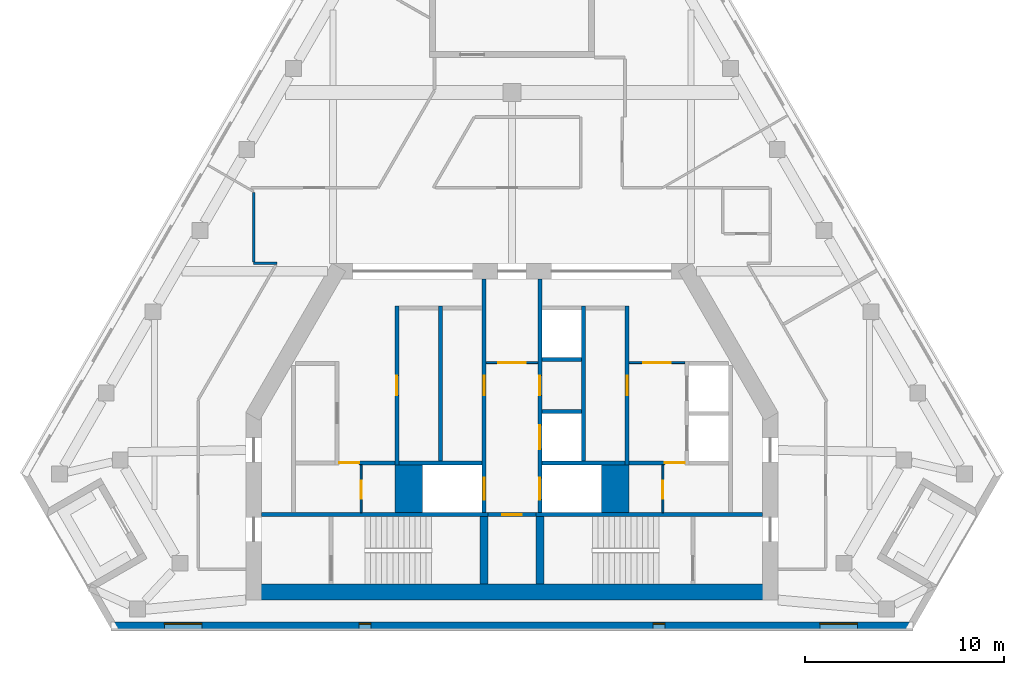
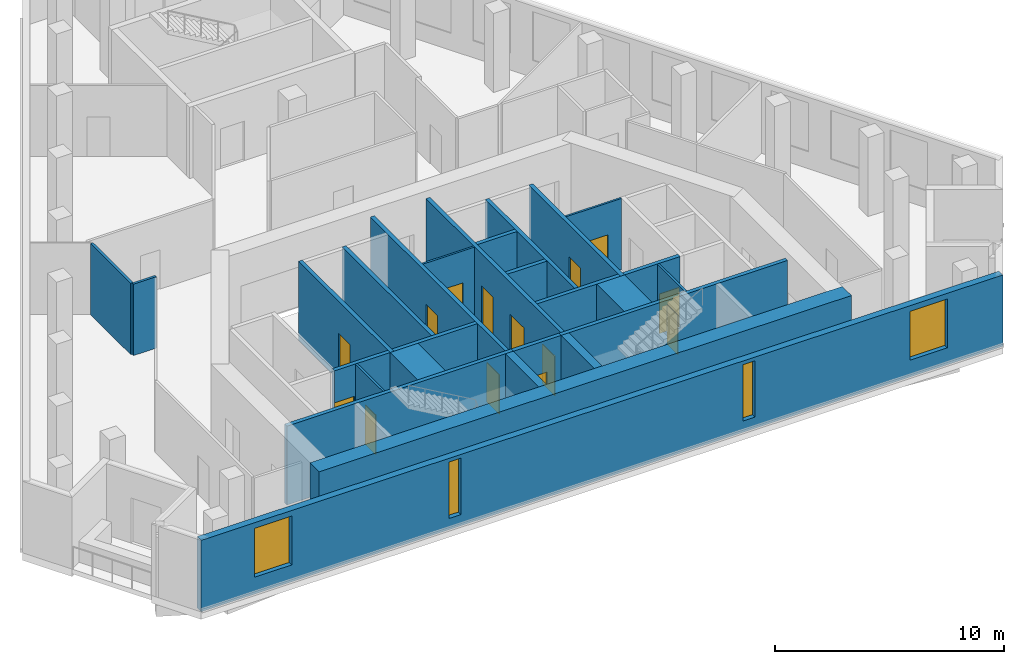
# One storey, part 3 of 8: 27 walls, 14 doors, 4 windows, 18 openings.
"""IFC4 building model written with IfcOpenShell, lengths in metres."""

from ifc_helpers import new_model, si_unit, direction, frame, frame_2d, origin, place, context, subcontext, project, spatial, rectangle, extrude, material, layer, layer_set, type_object, element, fill, save


model = new_model("IFC4")

# Units and contexts
model_context = context("Model", 3, precision=1e-05, world=origin(), true_north=direction((0.0, 1.0)))
body_context = subcontext(model_context, "Body", "Model", "MODEL_VIEW")
ifc_project = project(units=[si_unit("LENGTHUNIT", "METRE"), si_unit("AREAUNIT", "SQUARE_METRE"), si_unit("VOLUMEUNIT", "CUBIC_METRE"), si_unit("PLANEANGLEUNIT", "RADIAN"), si_unit("MASSUNIT", "GRAM", prefix="KILO")], contexts=[model_context])

# Site, building, storey
site_placement = place(None, origin())
site = spatial("IfcSite", under=ifc_project, at=site_placement, CompositionType="ELEMENT")
building_placement = place(site_placement, origin())
building = spatial("IfcBuilding", under=site, at=building_placement, Name="Fogline Exchange Tower", CompositionType="ELEMENT")
storey_placement = place(building_placement, frame((0.0, 0.0, 318.300048828125)))
storey = spatial("IfcBuildingStorey", under=building, at=storey_placement, Name="L72", CompositionType="ELEMENT", Elevation=318.300048828125)

# Wall, opening, door
ifc_material_1 = material(Name="Blockwork partition", Category="masonry")
ifc_layer_1 = layer(ifc_material_1, 0.10009765625)
ifc_layer_set_1 = layer_set([ifc_layer_1], Name="CW10")
wall_type_1 = type_object("IfcWallType", Name="CW10", PredefinedType="PARTITIONING", material=ifc_layer_set_1)
wall_1_placement = place(storey_placement, frame((-7.60009765625, 5.85009765625, 0.0), z_axis=(0.0, 0.0, 1.0), x_axis=(0.0, 1.0, 0.0)))
wall_1 = element("IfcWall", 1, at=wall_1_placement, inside=storey, type_object=wall_type_1, Name="WC partition", PredefinedType="PARTITIONING", context=body_context, shape_type="SweptSolid", body=[
    extrude(rectangle(XDim=2.39990234375, YDim=0.10009765625, at=frame_2d((1.199951171875, 0.0))), origin(), (0.0, 0.0, 1.0), 3.800048828125),
])
opening_1_placement = place(wall_1_placement, frame((0.699951171875, 0.0, 0.0)))
opening_1 = element("IfcOpeningElement", 2, at=opening_1_placement, cuts=wall_1, Name="Opening T22-C008", PredefinedType="OPENING", context=body_context, shape_type="SweptSolid", body=[
    extrude(rectangle(XDim=0.89990234375, YDim=2.10009765625, at=frame_2d((0.449951171875, 1.050048828125))), frame((0.0, 0.06005859375, 0.0), z_axis=(0.0, -1.0, 0.0), x_axis=(1.0, 0.0, 0.0)), (0.0, 0.0, 1.0), 0.1201171875),
])
ifc_material_2 = material(Name="Steel and timber fire door", Category="steel")
door_type_1 = type_object("IfcDoorType", Name="D-CS1", OperationType="SINGLE_SWING_RIGHT", PredefinedType="DOOR", material=ifc_material_2)
door_1_placement = place(opening_1_placement, frame((0.89990234375, 0.0, 0.0), z_axis=(0.0, 0.0, 1.0), x_axis=(-1.0, 0.0, 0.0)))
door_1 = element("IfcDoor", 3, at=door_1_placement, inside=storey, type_object=door_type_1, Name="Door to Cleaner's Store", OperationType="SINGLE_SWING_RIGHT", OverallHeight=2.10009765625, OverallWidth=0.89990234375, PredefinedType="DOOR", context=body_context, shape_type="SweptSolid", body=[
    extrude(rectangle(XDim=0.89990234375, YDim=2.10009765625, at=frame_2d((0.449951171875, 1.050048828125))), frame((0.0, 0.02490234375, 0.0), z_axis=(0.0, -1.0, 0.0), x_axis=(1.0, 0.0, 0.0)), (0.0, 0.0, 1.0), 0.050048828125),
])
fill(opening_1, door_1)

wall_2_placement = place(storey_placement, frame((5.89990234375, 13.39990234375, 0.0), z_axis=(0.0, 0.0, 1.0), x_axis=(1.0, 0.0, 0.0)))
wall_2 = element("IfcWall", 4, at=wall_2_placement, inside=storey, type_object=wall_type_1, Name="Lift lobby partition", PredefinedType="PARTITIONING", context=body_context, shape_type="SweptSolid", body=[
    extrude(rectangle(XDim=2.800048828125, YDim=0.10009765625, at=frame_2d((1.39990234375, 0.0))), origin(), (0.0, 0.0, 1.0), 3.800048828125),
])
opening_2_placement = place(wall_2_placement, frame((0.699951171875, 0.0, 0.0)))
opening_2 = element("IfcOpeningElement", 5, at=opening_2_placement, cuts=wall_2, Name="Opening T22-C012", PredefinedType="OPENING", context=body_context, shape_type="SweptSolid", body=[
    extrude(rectangle(XDim=1.39990234375, YDim=2.10009765625, at=frame_2d((0.699951171875, 1.050048828125))), frame((0.0, 0.06005859375, 0.0), z_axis=(0.0, -1.0, 0.0), x_axis=(1.0, 0.0, 0.0)), (0.0, 0.0, 1.0), 0.1201171875),
])
door_type_2 = type_object("IfcDoorType", Name="D-LB1", OperationType="DOUBLE_DOOR_SINGLE_SWING", PredefinedType="DOOR", material=ifc_material_2)
door_2_placement = place(opening_2_placement, frame((1.39990234375, 0.0, 0.0), z_axis=(0.0, 0.0, 1.0), x_axis=(-1.0, 0.0, 0.0)))
door_2 = element("IfcDoor", 6, at=door_2_placement, inside=storey, type_object=door_type_2, Name="Door to lift lobby", OperationType="DOUBLE_DOOR_SINGLE_SWING", OverallHeight=2.10009765625, OverallWidth=1.39990234375, PredefinedType="DOOR", context=body_context, shape_type="SweptSolid", body=[
    extrude(rectangle(XDim=1.39990234375, YDim=2.10009765625, at=frame_2d((0.699951171875, 1.050048828125))), frame((0.0, 0.02490234375, 0.0), z_axis=(0.0, -1.0, 0.0), x_axis=(1.0, 0.0, 0.0)), (0.0, 0.0, 1.0), 0.050048828125),
])
fill(opening_2, door_2)

wall_3_placement = place(storey_placement, frame((7.60009765625, 5.85009765625, 0.0), z_axis=(0.0, 0.0, 1.0), x_axis=(0.0, 1.0, 0.0)))
wall_3 = element("IfcWall", 7, at=wall_3_placement, inside=storey, type_object=wall_type_1, Name="WC partition", PredefinedType="PARTITIONING", context=body_context, shape_type="SweptSolid", body=[
    extrude(rectangle(XDim=2.39990234375, YDim=0.10009765625, at=frame_2d((1.199951171875, 0.0))), origin(), (0.0, 0.0, 1.0), 3.800048828125),
])
opening_3_placement = place(wall_3_placement, frame((0.699951171875, 0.0, 0.0)))
opening_3 = element("IfcOpeningElement", 8, at=opening_3_placement, cuts=wall_3, Name="Opening T22-C014", PredefinedType="OPENING", context=body_context, shape_type="SweptSolid", body=[
    extrude(rectangle(XDim=0.89990234375, YDim=2.10009765625, at=frame_2d((0.449951171875, 1.050048828125))), frame((0.0, 0.06005859375, 0.0), z_axis=(0.0, -1.0, 0.0), x_axis=(1.0, 0.0, 0.0)), (0.0, 0.0, 1.0), 0.1201171875),
])
door_3_placement = place(opening_3_placement, origin())
door_3 = element("IfcDoor", 9, at=door_3_placement, inside=storey, type_object=door_type_1, Name="Door to Cleaner's Store", OperationType="SINGLE_SWING_LEFT", OverallHeight=2.10009765625, OverallWidth=0.89990234375, PredefinedType="DOOR", context=body_context, shape_type="SweptSolid", body=[
    extrude(rectangle(XDim=0.89990234375, YDim=2.10009765625, at=frame_2d((0.449951171875, 1.050048828125))), frame((0.0, 0.02490234375, 0.0), z_axis=(0.0, -1.0, 0.0), x_axis=(1.0, 0.0, 0.0)), (0.0, 0.0, 1.0), 0.050048828125),
])
fill(opening_3, door_3)

wall_4_placement = place(storey_placement, frame((-1.300048828125, 13.39990234375, 0.0), z_axis=(0.0, 0.0, 1.0), x_axis=(1.0, 0.0, 0.0)))
wall_4 = element("IfcWall", 10, at=wall_4_placement, inside=storey, type_object=wall_type_1, Name="Lift lobby partition", PredefinedType="PARTITIONING", context=body_context, shape_type="SweptSolid", body=[
    extrude(rectangle(XDim=2.60009765625, YDim=0.10009765625, at=frame_2d((1.300048828125, 0.0))), origin(), (0.0, 0.0, 1.0), 3.800048828125),
])
opening_4_placement = place(wall_4_placement, frame((0.60009765625, 0.0, 0.0)))
opening_4 = element("IfcOpeningElement", 11, at=opening_4_placement, cuts=wall_4, Name="Opening T22-C018", PredefinedType="OPENING", context=body_context, shape_type="SweptSolid", body=[
    extrude(rectangle(XDim=1.39990234375, YDim=2.10009765625, at=frame_2d((0.699951171875, 1.050048828125))), frame((0.0, 0.06005859375, 0.0), z_axis=(0.0, -1.0, 0.0), x_axis=(1.0, 0.0, 0.0)), (0.0, 0.0, 1.0), 0.1201171875),
])
door_4_placement = place(opening_4_placement, origin())
door_4 = element("IfcDoor", 12, at=door_4_placement, inside=storey, type_object=door_type_2, Name="Door to firefighting lift lobby", OperationType="DOUBLE_DOOR_SINGLE_SWING", OverallHeight=2.10009765625, OverallWidth=1.39990234375, PredefinedType="DOOR", context=body_context, shape_type="SweptSolid", body=[
    extrude(rectangle(XDim=1.39990234375, YDim=2.10009765625, at=frame_2d((0.699951171875, 1.050048828125))), frame((0.0, 0.02490234375, 0.0), z_axis=(0.0, -1.0, 0.0), x_axis=(1.0, 0.0, 0.0)), (0.0, 0.0, 1.0), 0.050048828125),
])
fill(opening_4, door_4)

# Walls
ifc_material_3 = material(Name="Concrete C60", Category="concrete")
ifc_layer_2 = layer(ifc_material_3, 1.39990234375)
ifc_layer_set_2 = layer_set([ifc_layer_2], Name="CW140")
wall_type_2 = type_object("IfcWallType", Name="CW140", PredefinedType="SOLIDWALL", material=ifc_layer_set_2)
for number, where, z_axis, x_axis, name in (
    (13, (-5.199951171875, 5.85009765625, -0.400146484375), (0.0, 0.0, 1.0), (0.0, 1.0, 0.0), "Lift shaft block wall"),
    (14, (5.199951171875, 5.85009765625, -0.400146484375), (0.0, 0.0, 1.0), (0.0, 1.0, 0.0), "Lift shaft block wall"),
):
    element("IfcWall", number, at=place(storey_placement, frame(where, z_axis=z_axis, x_axis=x_axis)), inside=storey, type_object=wall_type_2, Name=name, PredefinedType="SOLIDWALL", context=body_context, shape_type="SweptSolid", body=[
        extrude(rectangle(XDim=2.39990234375, YDim=1.39990234375, at=frame_2d((1.199951171875, 0.0))), origin(), (0.0, 0.0, 1.0), 4.2001953125),
    ])

# Wall, opening, door
ifc_material_4 = material(Name="Concrete C40", Category="concrete")
ifc_layer_3 = layer(ifc_material_4, 0.199951171875)
ifc_layer_set_3 = layer_set([ifc_layer_3], Name="CW20")
wall_type_3 = type_object("IfcWallType", Name="CW20", PredefinedType="SOLIDWALL", material=ifc_layer_set_3)
wall_5_placement = place(storey_placement, frame((-8.699951171875, 8.35009765625, 0.0), z_axis=(0.0, 0.0, 1.0), x_axis=(1.0, 0.0, 0.0)))
wall_5 = element("IfcWall", 15, at=wall_5_placement, inside=storey, type_object=wall_type_3, Name="WC wall", PredefinedType="SOLIDWALL", context=body_context, shape_type="SweptSolid", body=[
    extrude(rectangle(XDim=2.800048828125, YDim=0.199951171875, at=frame_2d((1.39990234375, 0.0))), origin(), (0.0, 0.0, 1.0), 3.800048828125),
])
opening_5_placement = place(wall_5_placement, origin())
opening_5 = element("IfcOpeningElement", 16, at=opening_5_placement, cuts=wall_5, Name="Opening T22-C007", PredefinedType="OPENING", context=body_context, shape_type="SweptSolid", body=[
    extrude(rectangle(XDim=1.0, YDim=2.10009765625, at=frame_2d((0.5, 1.050048828125))), frame((0.0, 0.10986328125, 0.0), z_axis=(0.0, -1.0, 0.0), x_axis=(1.0, 0.0, 0.0)), (0.0, 0.0, 1.0), 0.219970703125),
])
door_type_3 = type_object("IfcDoorType", Name="D-WC1", OperationType="SINGLE_SWING_LEFT", PredefinedType="DOOR", material=ifc_material_2)
door_5_placement = place(opening_5_placement, frame((1.0, 0.0, 0.0), z_axis=(0.0, 0.0, 1.0), x_axis=(-1.0, 0.0, 0.0)))
door_5 = element("IfcDoor", 17, at=door_5_placement, inside=storey, type_object=door_type_3, Name="Door to Men's WC", OperationType="SINGLE_SWING_LEFT", OverallHeight=2.10009765625, OverallWidth=1.0, PredefinedType="DOOR", context=body_context, shape_type="SweptSolid", body=[
    extrude(rectangle(XDim=1.0, YDim=2.10009765625, at=frame_2d((0.5, 1.050048828125))), frame((0.0, 0.02490234375, 0.0), z_axis=(0.0, -1.0, 0.0), x_axis=(1.0, 0.0, 0.0)), (0.0, 0.0, 1.0), 0.050048828125),
])
fill(opening_5, door_5)

wall_6_placement = place(storey_placement, frame((5.89990234375, 8.35009765625, 0.0), z_axis=(0.0, 0.0, 1.0), x_axis=(1.0, 0.0, 0.0)))
wall_6 = element("IfcWall", 18, at=wall_6_placement, inside=storey, type_object=wall_type_3, Name="WC wall", PredefinedType="SOLIDWALL", context=body_context, shape_type="SweptSolid", body=[
    extrude(rectangle(XDim=2.800048828125, YDim=0.199951171875, at=frame_2d((1.39990234375, 0.0))), origin(), (0.0, 0.0, 1.0), 3.800048828125),
])
opening_6_placement = place(wall_6_placement, frame((1.800048828125, 0.0, 0.0)))
opening_6 = element("IfcOpeningElement", 19, at=opening_6_placement, cuts=wall_6, Name="Opening T22-C013", PredefinedType="OPENING", context=body_context, shape_type="SweptSolid", body=[
    extrude(rectangle(XDim=1.0, YDim=2.10009765625, at=frame_2d((0.5, 1.050048828125))), frame((0.0, 0.10986328125, 0.0), z_axis=(0.0, -1.0, 0.0), x_axis=(1.0, 0.0, 0.0)), (0.0, 0.0, 1.0), 0.219970703125),
])
door_6_placement = place(opening_6_placement, frame((1.0, 0.0, 0.0), z_axis=(0.0, 0.0, 1.0), x_axis=(-1.0, 0.0, 0.0)))
door_6 = element("IfcDoor", 20, at=door_6_placement, inside=storey, type_object=door_type_3, Name="Door to Women's WC", OperationType="SINGLE_SWING_LEFT", OverallHeight=2.10009765625, OverallWidth=1.0, PredefinedType="DOOR", context=body_context, shape_type="SweptSolid", body=[
    extrude(rectangle(XDim=1.0, YDim=2.10009765625, at=frame_2d((0.5, 1.050048828125))), frame((0.0, 0.02490234375, 0.0), z_axis=(0.0, -1.0, 0.0), x_axis=(1.0, 0.0, 0.0)), (0.0, 0.0, 1.0), 0.050048828125),
])
fill(opening_6, door_6)

# Wall
ifc_layer_4 = layer(ifc_material_4, 0.199951171875)
ifc_layer_set_4 = layer_set([ifc_layer_4], Name="CW20R")
wall_type_4 = type_object("IfcWallType", Name="CW20R", PredefinedType="SOLIDWALL", material=ifc_layer_set_4)
wall_7_placement = place(storey_placement, frame((-12.60009765625, 5.75, -0.400146484375), z_axis=(0.0, 0.0, 1.0), x_axis=(1.0, 0.0, 0.0)))
element("IfcWall", 21, at=wall_7_placement, inside=storey, type_object=wall_type_4, Name="Stair enclosure wall", PredefinedType="SOLIDWALL", context=body_context, shape_type="SweptSolid", body=[
    extrude(rectangle(XDim=11.400146484375, YDim=0.199951171875, at=frame_2d((5.7001953125, 0.0))), origin(), (0.0, 0.0, 1.0), 4.2001953125),
])

# Wall, opening, door
wall_8_placement = place(storey_placement, frame((-1.199951171875, 5.75, -0.400146484375), z_axis=(0.0, 0.0, 1.0), x_axis=(1.0, 0.0, 0.0)))
wall_8 = element("IfcWall", 22, at=wall_8_placement, inside=storey, type_object=wall_type_4, Name="Stair enclosure wall", PredefinedType="SOLIDWALL", context=body_context, shape_type="SweptSolid", body=[
    extrude(rectangle(XDim=2.39990234375, YDim=0.199951171875, at=frame_2d((1.199951171875, 0.0))), origin(), (0.0, 0.0, 1.0), 4.2001953125),
])
opening_7_placement = place(wall_8_placement, frame((0.699951171875, 0.0, 0.39990234375)))
opening_7 = element("IfcOpeningElement", 23, at=opening_7_placement, cuts=wall_8, Name="Opening T22-C006", PredefinedType="OPENING", context=body_context, shape_type="SweptSolid", body=[
    extrude(rectangle(XDim=1.0, YDim=2.10009765625, at=frame_2d((0.5, 1.050048828125))), frame((0.0, 0.10986328125, 0.0), z_axis=(0.0, -1.0, 0.0), x_axis=(1.0, 0.0, 0.0)), (0.0, 0.0, 1.0), 0.219970703125),
])
door_type_4 = type_object("IfcDoorType", Name="D-RM1", OperationType="SINGLE_SWING_LEFT", PredefinedType="DOOR", material=ifc_material_2)
door_7_placement = place(opening_7_placement, frame((1.0, 0.0, 0.0), z_axis=(0.0, 0.0, 1.0), x_axis=(-1.0, 0.0, 0.0)))
door_7 = element("IfcDoor", 24, at=door_7_placement, inside=storey, type_object=door_type_4, Name="Door to Riser Room", OperationType="SINGLE_SWING_RIGHT", OverallHeight=2.10009765625, OverallWidth=1.0, PredefinedType="DOOR", context=body_context, shape_type="SweptSolid", body=[
    extrude(rectangle(XDim=1.0, YDim=2.10009765625, at=frame_2d((0.5, 1.050048828125))), frame((0.0, 0.02490234375, 0.0), z_axis=(0.0, -1.0, 0.0), x_axis=(1.0, 0.0, 0.0)), (0.0, 0.0, 1.0), 0.050048828125),
])
fill(opening_7, door_7)

# Wall
wall_9_placement = place(storey_placement, frame((1.199951171875, 5.75, -0.400146484375), z_axis=(0.0, 0.0, 1.0), x_axis=(1.0, 0.0, 0.0)))
element("IfcWall", 25, at=wall_9_placement, inside=storey, type_object=wall_type_4, Name="Stair enclosure wall", PredefinedType="SOLIDWALL", context=body_context, shape_type="SweptSolid", body=[
    extrude(rectangle(XDim=11.400146484375, YDim=0.199951171875, at=frame_2d((5.7001953125, 0.0))), origin(), (0.0, 0.0, 1.0), 4.2001953125),
])

# Wall, opening, door
ifc_layer_5 = layer(ifc_material_4, 0.199951171875)
ifc_layer_set_5 = layer_set([ifc_layer_5], Name="CW20S")
wall_type_5 = type_object("IfcWallType", Name="CW20S", PredefinedType="SOLIDWALL", material=ifc_layer_set_5)
wall_10_placement = place(storey_placement, frame((-5.800048828125, 8.25, -0.400146484375), z_axis=(0.0, 0.0, 1.0), x_axis=(0.0, 1.0, 0.0)))
wall_10 = element("IfcWall", 26, at=wall_10_placement, inside=storey, type_object=wall_type_5, Name="Lift shaft wall", PredefinedType="SOLIDWALL", context=body_context, shape_type="SweptSolid", body=[
    extrude(rectangle(XDim=8.0, YDim=0.199951171875, at=frame_2d((4.0, 0.0))), origin(), (0.0, 0.0, 1.0), 4.2001953125),
])
opening_8_placement = place(wall_10_placement, frame((3.5, 0.0, 0.39990234375)))
opening_8 = element("IfcOpeningElement", 27, at=opening_8_placement, cuts=wall_10, Name="Opening T22-C002", PredefinedType="OPENING", context=body_context, shape_type="SweptSolid", body=[
    extrude(rectangle(XDim=1.0, YDim=2.10009765625, at=frame_2d((0.5, 1.050048828125))), frame((0.0, 0.10986328125, 0.0), z_axis=(0.0, -1.0, 0.0), x_axis=(1.0, 0.0, 0.0)), (0.0, 0.0, 1.0), 0.219970703125),
])
door_8_placement = place(opening_8_placement, frame((1.0, 0.0, 0.0), z_axis=(0.0, 0.0, 1.0), x_axis=(-1.0, 0.0, 0.0)))
door_8 = element("IfcDoor", 28, at=door_8_placement, inside=storey, type_object=door_type_4, Name="Door to Service Hall", OperationType="SINGLE_SWING_RIGHT", OverallHeight=2.10009765625, OverallWidth=1.0, PredefinedType="DOOR", context=body_context, shape_type="SweptSolid", body=[
    extrude(rectangle(XDim=1.0, YDim=2.10009765625, at=frame_2d((0.5, 1.050048828125))), frame((0.0, 0.02490234375, 0.0), z_axis=(0.0, -1.0, 0.0), x_axis=(1.0, 0.0, 0.0)), (0.0, 0.0, 1.0), 0.050048828125),
])
fill(opening_8, door_8)

wall_11_placement = place(storey_placement, frame((5.800048828125, 8.25, -0.400146484375), z_axis=(0.0, 0.0, 1.0), x_axis=(0.0, 1.0, 0.0)))
wall_11 = element("IfcWall", 29, at=wall_11_placement, inside=storey, type_object=wall_type_5, Name="Lift shaft wall", PredefinedType="SOLIDWALL", context=body_context, shape_type="SweptSolid", body=[
    extrude(rectangle(XDim=8.0, YDim=0.199951171875, at=frame_2d((4.0, 0.0))), origin(), (0.0, 0.0, 1.0), 4.2001953125),
])
opening_9_placement = place(wall_11_placement, frame((3.5, 0.0, 0.39990234375)))
opening_9 = element("IfcOpeningElement", 30, at=opening_9_placement, cuts=wall_11, Name="Opening T22-C004", PredefinedType="OPENING", context=body_context, shape_type="SweptSolid", body=[
    extrude(rectangle(XDim=1.0, YDim=2.10009765625, at=frame_2d((0.5, 1.050048828125))), frame((0.0, 0.10986328125, 0.0), z_axis=(0.0, -1.0, 0.0), x_axis=(1.0, 0.0, 0.0)), (0.0, 0.0, 1.0), 0.219970703125),
])
door_9_placement = place(opening_9_placement, origin())
door_9 = element("IfcDoor", 31, at=door_9_placement, inside=storey, type_object=door_type_4, Name="Door to Trading Desk Annexe", OperationType="SINGLE_SWING_LEFT", OverallHeight=2.10009765625, OverallWidth=1.0, PredefinedType="DOOR", context=body_context, shape_type="SweptSolid", body=[
    extrude(rectangle(XDim=1.0, YDim=2.10009765625, at=frame_2d((0.5, 1.050048828125))), frame((0.0, 0.02490234375, 0.0), z_axis=(0.0, -1.0, 0.0), x_axis=(1.0, 0.0, 0.0)), (0.0, 0.0, 1.0), 0.050048828125),
])
fill(opening_9, door_9)

# Walls
for number, where, z_axis, x_axis, name in (
    (32, (-3.60009765625, 8.449951171875, -0.400146484375), (0.0, 0.0, 1.0), (0.0, 1.0, 0.0), "Lift shaft wall"),
    (33, (3.60009765625, 8.449951171875, -0.400146484375), (0.0, 0.0, 1.0), (0.0, 1.0, 0.0), "Lift shaft wall"),
):
    element("IfcWall", number, at=place(storey_placement, frame(where, z_axis=z_axis, x_axis=x_axis)), inside=storey, type_object=wall_type_5, Name=name, PredefinedType="SOLIDWALL", context=body_context, shape_type="SweptSolid", body=[
        extrude(rectangle(XDim=7.800048828125, YDim=0.199951171875, at=frame_2d((3.89990234375, 0.0))), origin(), (0.0, 0.0, 1.0), 4.2001953125),
    ])

# Wall, openings, doors
wall_12_placement = place(storey_placement, frame((-1.39990234375, 5.85009765625, -0.400146484375), z_axis=(0.0, 0.0, 1.0), x_axis=(0.0, 1.0, 0.0)))
wall_12 = element("IfcWall", 34, at=wall_12_placement, inside=storey, type_object=wall_type_5, Name="Lift lobby wall", PredefinedType="SOLIDWALL", context=body_context, shape_type="SweptSolid", body=[
    extrude(rectangle(XDim=11.75, YDim=0.199951171875, at=frame_2d((5.875, 0.0))), origin(), (0.0, 0.0, 1.0), 4.2001953125),
])
opening_10_placement = place(wall_12_placement, frame((0.64990234375, 0.0, 0.39990234375)))
opening_10 = element("IfcOpeningElement", 35, at=opening_10_placement, cuts=wall_12, Name="Opening T22-LD01", PredefinedType="OPENING", context=body_context, shape_type="SweptSolid", body=[
    extrude(rectangle(XDim=1.10009765625, YDim=2.10009765625, at=frame_2d((0.550048828125, 1.050048828125))), frame((0.0, 0.10986328125, 0.0), z_axis=(0.0, -1.0, 0.0), x_axis=(1.0, 0.0, 0.0)), (0.0, 0.0, 1.0), 0.219970703125),
])
opening_11_placement = place(wall_12_placement, frame((5.89990234375, 0.0, 0.39990234375)))
opening_11 = element("IfcOpeningElement", 36, at=opening_11_placement, cuts=wall_12, Name="Opening T22-C003", PredefinedType="OPENING", context=body_context, shape_type="SweptSolid", body=[
    extrude(rectangle(XDim=1.0, YDim=2.10009765625, at=frame_2d((0.5, 1.050048828125))), frame((0.0, 0.10986328125, 0.0), z_axis=(0.0, -1.0, 0.0), x_axis=(1.0, 0.0, 0.0)), (0.0, 0.0, 1.0), 0.219970703125),
])
door_10_placement = place(opening_11_placement, origin())
door_10 = element("IfcDoor", 37, at=door_10_placement, inside=storey, type_object=door_type_4, Name="Door to Records Hall", OperationType="SINGLE_SWING_LEFT", OverallHeight=2.10009765625, OverallWidth=1.0, PredefinedType="DOOR", context=body_context, shape_type="SweptSolid", body=[
    extrude(rectangle(XDim=1.0, YDim=2.10009765625, at=frame_2d((0.5, 1.050048828125))), frame((0.0, 0.02490234375, 0.0), z_axis=(0.0, -1.0, 0.0), x_axis=(1.0, 0.0, 0.0)), (0.0, 0.0, 1.0), 0.050048828125),
])
fill(opening_11, door_10)
door_type_5 = type_object("IfcDoorType", Name="LD2", OperationType="SLIDING_TO_RIGHT", PredefinedType="DOOR", material=ifc_material_2)
door_11_placement = place(opening_10_placement, origin())
door_11 = element("IfcDoor", 38, at=door_11_placement, inside=storey, type_object=door_type_5, Name="Landing door FF1", OperationType="SLIDING_TO_RIGHT", OverallHeight=2.10009765625, OverallWidth=1.10009765625, PredefinedType="DOOR", context=body_context, shape_type="SweptSolid", body=[
    extrude(rectangle(XDim=1.10009765625, YDim=2.10009765625, at=frame_2d((0.550048828125, 1.050048828125))), frame((0.0, 0.02490234375, 0.0), z_axis=(0.0, -1.0, 0.0), x_axis=(1.0, 0.0, 0.0)), (0.0, 0.0, 1.0), 0.050048828125),
])
fill(opening_10, door_11)

wall_13_placement = place(storey_placement, frame((1.39990234375, 5.85009765625, -0.400146484375), z_axis=(0.0, 0.0, 1.0), x_axis=(0.0, 1.0, 0.0)))
wall_13 = element("IfcWall", 39, at=wall_13_placement, inside=storey, type_object=wall_type_5, Name="Lift lobby wall", PredefinedType="SOLIDWALL", context=body_context, shape_type="SweptSolid", body=[
    extrude(rectangle(XDim=11.75, YDim=0.199951171875, at=frame_2d((5.875, 0.0))), origin(), (0.0, 0.0, 1.0), 4.2001953125),
])
opening_12_placement = place(wall_13_placement, frame((3.199951171875, 0.0, 0.39990234375)))
opening_12 = element("IfcOpeningElement", 40, at=opening_12_placement, cuts=wall_13, Name="Opening T22-LD04", PredefinedType="OPENING", context=body_context, shape_type="SweptSolid", body=[
    extrude(rectangle(XDim=1.199951171875, YDim=2.10009765625, at=frame_2d((0.60009765625, 1.050048828125))), frame((0.0, 0.10986328125, 0.0), z_axis=(0.0, -1.0, 0.0), x_axis=(1.0, 0.0, 0.0)), (0.0, 0.0, 1.0), 0.219970703125),
])
opening_13_placement = place(wall_13_placement, frame((0.64990234375, 0.0, 0.39990234375)))
opening_13 = element("IfcOpeningElement", 41, at=opening_13_placement, cuts=wall_13, Name="Opening T22-LD05", PredefinedType="OPENING", context=body_context, shape_type="SweptSolid", body=[
    extrude(rectangle(XDim=1.10009765625, YDim=2.10009765625, at=frame_2d((0.550048828125, 1.050048828125))), frame((0.0, 0.10986328125, 0.0), z_axis=(0.0, -1.0, 0.0), x_axis=(1.0, 0.0, 0.0)), (0.0, 0.0, 1.0), 0.219970703125),
])
opening_14_placement = place(wall_13_placement, frame((5.89990234375, 0.0, 0.39990234375)))
opening_14 = element("IfcOpeningElement", 42, at=opening_14_placement, cuts=wall_13, Name="Opening T22-C005", PredefinedType="OPENING", context=body_context, shape_type="SweptSolid", body=[
    extrude(rectangle(XDim=1.0, YDim=2.10009765625, at=frame_2d((0.5, 1.050048828125))), frame((0.0, 0.10986328125, 0.0), z_axis=(0.0, -1.0, 0.0), x_axis=(1.0, 0.0, 0.0)), (0.0, 0.0, 1.0), 0.219970703125),
])
door_12_placement = place(opening_14_placement, frame((1.0, 0.0, 0.0), z_axis=(0.0, 0.0, 1.0), x_axis=(-1.0, 0.0, 0.0)))
door_12 = element("IfcDoor", 43, at=door_12_placement, inside=storey, type_object=door_type_4, Name="Door to Cable Store", OperationType="SINGLE_SWING_RIGHT", OverallHeight=2.10009765625, OverallWidth=1.0, PredefinedType="DOOR", context=body_context, shape_type="SweptSolid", body=[
    extrude(rectangle(XDim=1.0, YDim=2.10009765625, at=frame_2d((0.5, 1.050048828125))), frame((0.0, 0.02490234375, 0.0), z_axis=(0.0, -1.0, 0.0), x_axis=(1.0, 0.0, 0.0)), (0.0, 0.0, 1.0), 0.050048828125),
])
fill(opening_14, door_12)
door_type_6 = type_object("IfcDoorType", Name="LD1", OperationType="SLIDING_TO_LEFT", PredefinedType="DOOR", material=ifc_material_2)
door_13_placement = place(opening_12_placement, origin())
door_13 = element("IfcDoor", 44, at=door_13_placement, inside=storey, type_object=door_type_6, Name="Landing door HR3", OperationType="SLIDING_TO_LEFT", OverallHeight=2.10009765625, OverallWidth=1.199951171875, PredefinedType="DOOR", context=body_context, shape_type="SweptSolid", body=[
    extrude(rectangle(XDim=1.199951171875, YDim=2.10009765625, at=frame_2d((0.60009765625, 1.050048828125))), frame((0.0, 0.02490234375, 0.0), z_axis=(0.0, -1.0, 0.0), x_axis=(1.0, 0.0, 0.0)), (0.0, 0.0, 1.0), 0.050048828125),
])
fill(opening_12, door_13)
door_14_placement = place(opening_13_placement, origin())
door_14 = element("IfcDoor", 45, at=door_14_placement, inside=storey, type_object=door_type_5, Name="Landing door FF2", OperationType="SLIDING_TO_RIGHT", OverallHeight=2.10009765625, OverallWidth=1.10009765625, PredefinedType="DOOR", context=body_context, shape_type="SweptSolid", body=[
    extrude(rectangle(XDim=1.10009765625, YDim=2.10009765625, at=frame_2d((0.550048828125, 1.050048828125))), frame((0.0, 0.02490234375, 0.0), z_axis=(0.0, -1.0, 0.0), x_axis=(1.0, 0.0, 0.0)), (0.0, 0.0, 1.0), 0.050048828125),
])
fill(opening_13, door_14)

# Walls
for number, where, z_axis, x_axis, name in (
    (46, (-5.699951171875, 8.35009765625, -0.400146484375), (0.0, 0.0, 1.0), (1.0, 0.0, 0.0), "Lift shaft wall"),
    (47, (1.5, 8.35009765625, -0.400146484375), (0.0, 0.0, 1.0), (1.0, 0.0, 0.0), "Lift shaft wall"),
):
    element("IfcWall", number, at=place(storey_placement, frame(where, z_axis=z_axis, x_axis=x_axis)), inside=storey, type_object=wall_type_5, Name=name, PredefinedType="SOLIDWALL", context=body_context, shape_type="SweptSolid", body=[
        extrude(rectangle(XDim=4.199951171875, YDim=0.199951171875, at=frame_2d((2.10009765625, 0.0))), origin(), (0.0, 0.0, 1.0), 4.2001953125),
    ])
for number, where, z_axis, x_axis, name in (
    (48, (1.5, 10.949951171875, -0.400146484375), (0.0, 0.0, 1.0), (1.0, 0.0, 0.0), "Lift shaft wall"),
    (49, (1.5, 13.550048828125, -0.400146484375), (0.0, 0.0, 1.0), (1.0, 0.0, 0.0), "Lift shaft wall"),
):
    element("IfcWall", number, at=place(storey_placement, frame(where, z_axis=z_axis, x_axis=x_axis)), inside=storey, type_object=wall_type_5, Name=name, PredefinedType="SOLIDWALL", context=body_context, shape_type="SweptSolid", body=[
        extrude(rectangle(XDim=2.0, YDim=0.199951171875, at=frame_2d((1.0, 0.0))), origin(), (0.0, 0.0, 1.0), 4.2001953125),
    ])
ifc_layer_6 = layer(ifc_material_4, 0.39990234375)
ifc_layer_set_6 = layer_set([ifc_layer_6], Name="CW40R")
wall_type_6 = type_object("IfcWallType", Name="CW40R", PredefinedType="SOLIDWALL", material=ifc_layer_set_6)
for number, where, z_axis, x_axis, name in (
    (50, (-1.39990234375, 2.25, -0.400146484375), (0.0, 0.0, 1.0), (0.0, 1.0, 0.0), "Stair and lift shaft wall"),
    (51, (1.39990234375, 2.25, -0.400146484375), (0.0, 0.0, 1.0), (0.0, 1.0, 0.0), "Stair and lift shaft wall"),
):
    element("IfcWall", number, at=place(storey_placement, frame(where, z_axis=z_axis, x_axis=x_axis)), inside=storey, type_object=wall_type_6, Name=name, PredefinedType="SOLIDWALL", context=body_context, shape_type="SweptSolid", body=[
        extrude(rectangle(XDim=3.39990234375, YDim=0.39990234375, at=frame_2d((1.699951171875, 0.0))), origin(), (0.0, 0.0, 1.0), 4.2001953125),
    ])

# Wall, openings, windows
ifc_material_5 = material(Name="Brick masonry", Category="masonry")
ifc_layer_7 = layer(ifc_material_5, 0.340087890625)
ifc_layer_set_7 = layer_set([ifc_layer_7], Name="FW1")
wall_type_7 = type_object("IfcWallType", Name="FW1", PredefinedType="SOLIDWALL", material=ifc_layer_set_7)
wall_14_placement = place(storey_placement, frame((-20.1796875, 0.169921875, 0.0), z_axis=(0.0, 0.0, 1.0), x_axis=(1.0, 0.0, 0.0)))
wall_14 = element("IfcWall", 52, at=wall_14_placement, inside=storey, type_object=wall_type_7, Name="Brick wall L72 S", PredefinedType="SOLIDWALL", context=body_context, shape_type="SweptSolid", body=[
    extrude(rectangle(XDim=40.359375, YDim=0.340087890625, at=frame_2d((20.1796875, 0.0))), origin(), (0.0, 0.0, 1.0), 3.800048828125),
])
opening_15_placement = place(wall_14_placement, frame((2.6796875, 0.0, 0.89990234375)))
opening_15 = element("IfcOpeningElement", 53, at=opening_15_placement, cuts=wall_14, Name="Opening W3", PredefinedType="OPENING", context=body_context, shape_type="SweptSolid", body=[
    extrude(rectangle(XDim=1.885009765625, YDim=2.60009765625, at=frame_2d((0.9423828125, 1.300048828125))), frame((0.0, 0.18017578125, 0.0), z_axis=(0.0, -1.0, 0.0), x_axis=(1.0, 0.0, 0.0)), (0.0, 0.0, 1.0), 0.360107421875),
])
opening_16_placement = place(wall_14_placement, frame((35.6796875, 0.0, 0.89990234375)))
opening_16 = element("IfcOpeningElement", 54, at=opening_16_placement, cuts=wall_14, Name="Opening W3", PredefinedType="OPENING", context=body_context, shape_type="SweptSolid", body=[
    extrude(rectangle(XDim=1.885009765625, YDim=2.60009765625, at=frame_2d((0.9423828125, 1.300048828125))), frame((0.0, 0.18017578125, 0.0), z_axis=(0.0, -1.0, 0.0), x_axis=(1.0, 0.0, 0.0)), (0.0, 0.0, 1.0), 0.360107421875),
])
opening_17_placement = place(wall_14_placement, frame((12.479736328125, 0.0, 0.60009765625)))
opening_17 = element("IfcOpeningElement", 55, at=opening_17_placement, cuts=wall_14, Name="Opening W5", PredefinedType="OPENING", context=body_context, shape_type="SweptSolid", body=[
    extrude(rectangle(XDim=0.60009765625, YDim=3.0, at=frame_2d((0.300048828125, 1.5))), frame((0.0, 0.18017578125, 0.0), z_axis=(0.0, -1.0, 0.0), x_axis=(1.0, 0.0, 0.0)), (0.0, 0.0, 1.0), 0.360107421875),
])
opening_18_placement = place(wall_14_placement, frame((27.27978515625, 0.0, 0.60009765625)))
opening_18 = element("IfcOpeningElement", 56, at=opening_18_placement, cuts=wall_14, Name="Opening W5", PredefinedType="OPENING", context=body_context, shape_type="SweptSolid", body=[
    extrude(rectangle(XDim=0.60009765625, YDim=3.0, at=frame_2d((0.300048828125, 1.5))), frame((0.0, 0.18017578125, 0.0), z_axis=(0.0, -1.0, 0.0), x_axis=(1.0, 0.0, 0.0)), (0.0, 0.0, 1.0), 0.360107421875),
])
ifc_material_6 = material(Name="Aluminium and glass", Category="aluminium")
window_type_1 = type_object("IfcWindowType", Name="W3", PartitioningType="SINGLE_PANEL", PredefinedType="WINDOW", material=ifc_material_6)
window_1_placement = place(opening_15_placement, origin())
window_1 = element("IfcWindow", 57, at=window_1_placement, inside=storey, type_object=window_type_1, Name="W3 W3", OverallHeight=2.60009765625, OverallWidth=1.885009765625, PartitioningType="SINGLE_PANEL", PredefinedType="WINDOW", context=body_context, shape_type="SweptSolid", body=[
    extrude(rectangle(XDim=1.885009765625, YDim=2.60009765625, at=frame_2d((0.9423828125, 1.300048828125))), frame((0.0, 0.110107421875, 0.0), z_axis=(0.0, -1.0, 0.0), x_axis=(1.0, 0.0, 0.0)), (0.0, 0.0, 1.0), 0.06005859375),
])
fill(opening_15, window_1)
window_2_placement = place(opening_16_placement, origin())
window_2 = element("IfcWindow", 58, at=window_2_placement, inside=storey, type_object=window_type_1, Name="W3 W3", OverallHeight=2.60009765625, OverallWidth=1.885009765625, PartitioningType="SINGLE_PANEL", PredefinedType="WINDOW", context=body_context, shape_type="SweptSolid", body=[
    extrude(rectangle(XDim=1.885009765625, YDim=2.60009765625, at=frame_2d((0.9423828125, 1.300048828125))), frame((0.0, 0.110107421875, 0.0), z_axis=(0.0, -1.0, 0.0), x_axis=(1.0, 0.0, 0.0)), (0.0, 0.0, 1.0), 0.06005859375),
])
fill(opening_16, window_2)
window_type_2 = type_object("IfcWindowType", Name="W5", PartitioningType="SINGLE_PANEL", PredefinedType="WINDOW", material=ifc_material_6)
window_3_placement = place(opening_17_placement, origin())
window_3 = element("IfcWindow", 59, at=window_3_placement, inside=storey, type_object=window_type_2, Name="W5 W5", OverallHeight=3.0, OverallWidth=0.60009765625, PartitioningType="SINGLE_PANEL", PredefinedType="WINDOW", context=body_context, shape_type="SweptSolid", body=[
    extrude(rectangle(XDim=0.60009765625, YDim=3.0, at=frame_2d((0.300048828125, 1.5))), frame((0.0, 0.110107421875, 0.0), z_axis=(0.0, -1.0, 0.0), x_axis=(1.0, 0.0, 0.0)), (0.0, 0.0, 1.0), 0.06005859375),
])
fill(opening_17, window_3)
window_4_placement = place(opening_18_placement, origin())
window_4 = element("IfcWindow", 60, at=window_4_placement, inside=storey, type_object=window_type_2, Name="W5 W5", OverallHeight=3.0, OverallWidth=0.60009765625, PartitioningType="SINGLE_PANEL", PredefinedType="WINDOW", context=body_context, shape_type="SweptSolid", body=[
    extrude(rectangle(XDim=0.60009765625, YDim=3.0, at=frame_2d((0.300048828125, 1.5))), frame((0.0, 0.110107421875, 0.0), z_axis=(0.0, -1.0, 0.0), x_axis=(1.0, 0.0, 0.0)), (0.0, 0.0, 1.0), 0.06005859375),
])
fill(opening_18, window_4)

# Walls
ifc_material_7 = material(Name="Plasterboard corridor partition with mineral wool, 2 layers each side")
ifc_layer_8 = layer(ifc_material_7, 0.125)
ifc_layer_set_8 = layer_set([ifc_layer_8], Name="PW2")
wall_type_8 = type_object("IfcWallType", Name="PW2", PredefinedType="PARTITIONING", material=ifc_layer_set_8)
wall_15_placement = place(storey_placement, frame((-11.83642578125, 18.39990234375, 0.0), z_axis=(0.0, 0.0, 1.0), x_axis=(-1.0, 0.0, 0.0)))
element("IfcWall", 61, at=wall_15_placement, inside=storey, type_object=wall_type_8, Name="wall-L72-W013", PredefinedType="PARTITIONING", context=body_context, shape_type="SweptSolid", body=[
    extrude(rectangle(XDim=1.16357421875, YDim=0.125, at=frame_2d((0.581787109375, 0.0))), origin(), (0.0, 0.0, 1.0), 3.800048828125),
])
wall_16_placement = place(storey_placement, frame((-13.0, 18.46240234375, 0.0), z_axis=(0.0, 0.0, 1.0), x_axis=(0.0, 1.0, 0.0)))
element("IfcWall", 62, at=wall_16_placement, inside=storey, type_object=wall_type_8, Name="wall-L72-W014", PredefinedType="PARTITIONING", context=body_context, shape_type="SweptSolid", body=[
    extrude(rectangle(XDim=3.500244140625, YDim=0.125, at=frame_2d((1.75, 0.0))), origin(), (0.0, 0.0, 1.0), 3.800048828125),
])
ifc_material_8 = material(Name="Concrete C50", Category="concrete")
ifc_layer_9 = layer(ifc_material_8, 0.800048828125)
ifc_layer_set_9 = layer_set([ifc_layer_9], Name="SW04")
wall_type_9 = type_object("IfcWallType", Name="SW04", PredefinedType="SHEAR", material=ifc_layer_set_9)
wall_17_placement = place(storey_placement, frame((-13.39990234375, 1.85009765625, 0.0), z_axis=(0.0, 0.0, 1.0), x_axis=(1.0, 0.0, 0.0)))
element("IfcWall", 63, at=wall_17_placement, inside=storey, type_object=wall_type_9, Name="L72-W901", PredefinedType="SHEAR", context=body_context, shape_type="SweptSolid", body=[
    extrude(rectangle(XDim=26.7998046875, YDim=0.800048828125, at=frame_2d((13.39990234375, 0.0))), origin(), (0.0, 0.0, 1.0), 4.199951171875),
])

save(model, "model.ifc")
